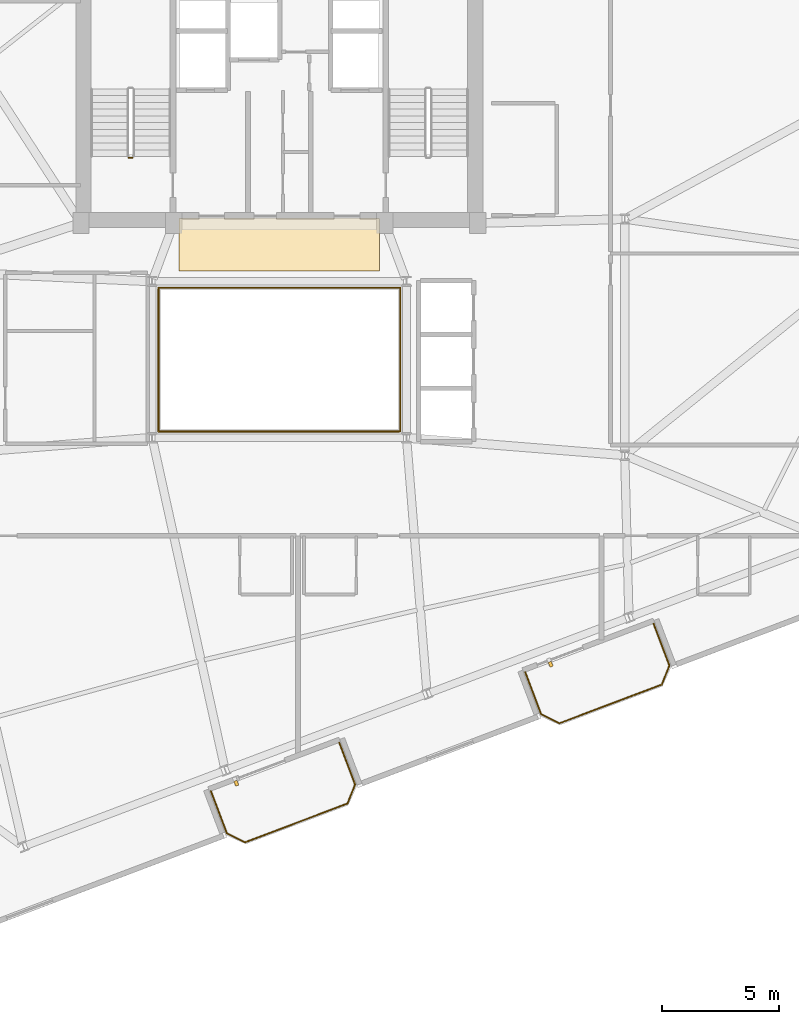
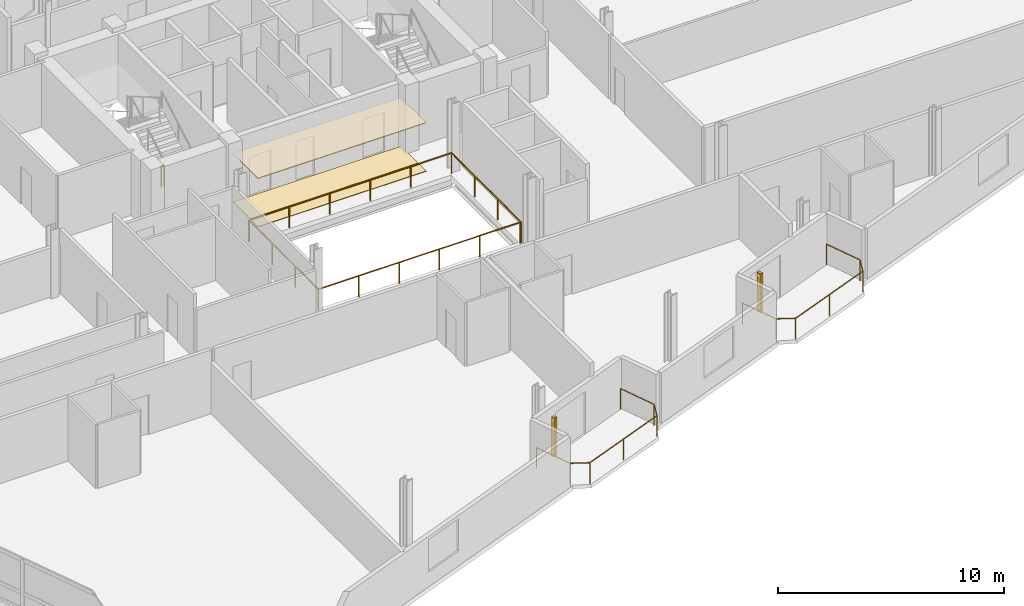
# One storey, part 18 of 19: 5 railings, 2 coverings, 2 shading devices.
"""IFC4 building model written with IfcOpenShell, lengths in metres."""

import ifcopenshell
import ifcopenshell.guid

model = None  # the IFC model being written
_history = None  # IfcOwnerHistory: only IFC2X3 demands one
_inside = {}  # id of a spatial element -> (the spatial element, [elements in it])
_under = {}  # id of a project, library or spatial element -> (it, [spatial elements below it])
_declared = {}  # id of a project -> (the project, [libraries it declares])
_typed = {}  # id of a type object -> (the type object, [elements of that type])
_made_of = {}  # id of a material, layer set ... -> (it, [elements and type objects made of it])


def new_model(schema):
    """Start an empty IFC model of exactly this schema.

    Asked for "IFC4X3", IfcOpenShell would pick the latest addendum, in which some entities
    have other attributes; the version numbers below select the first issue.
    IFC2X3 requires an IfcOwnerHistory on every rooted entity: one is made here for all.
    """
    global model, _history
    if schema == "IFC4X3":
        model = ifcopenshell.file(schema_version=(4, 3, 0, 0))
    else:
        model = ifcopenshell.file(schema=schema)
    _inside.clear()
    _under.clear()
    _declared.clear()
    _typed.clear()
    _made_of.clear()
    _history = None
    if model.schema == "IFC2X3":
        org = make("IfcOrganization", Name="unknown")
        user = make(
            "IfcPersonAndOrganization",
            ThePerson=make("IfcPerson", FamilyName="unknown"),
            TheOrganization=org,
        )
        app = make(
            "IfcApplication",
            ApplicationDeveloper=org,
            Version="unknown",
            ApplicationFullName="unknown",
            ApplicationIdentifier="unknown",
        )
        _history = make(
            "IfcOwnerHistory",
            OwningUser=user,
            OwningApplication=app,
            ChangeAction="ADDED",
            CreationDate=0,
        )
    return model


def make(cls, **values):
    """One entity of the class cls with the attributes given. An attribute that is None is left unset."""
    return model.create_entity(
        cls, **{name: value for name, value in values.items() if value is not None}
    )


def rooted(cls, **values):
    """An entity with a GlobalId (a new one), such as an element, a storey or a relation."""
    return make(cls, GlobalId=ifcopenshell.guid.new(), OwnerHistory=_history, **values)


def si_unit(unit_type, name, prefix=None):
    """IfcSIUnit, for example si_unit("LENGTHUNIT", "METRE", prefix="MILLI")."""
    return make("IfcSIUnit", UnitType=unit_type, Prefix=prefix, Name=name)


def assignment(units):
    """IfcUnitAssignment: the units of a project."""
    return None if units is None else make("IfcUnitAssignment", Units=units)


def point(xyz):
    """IfcCartesianPoint."""
    return None if xyz is None else make("IfcCartesianPoint", Coordinates=xyz)


def direction(xyz):
    """IfcDirection."""
    return None if xyz is None else make("IfcDirection", DirectionRatios=xyz)


def frame(location, z_axis=None, x_axis=None):
    """IfcAxis2Placement3D, a coordinate frame: its origin and axes. An axis left out is left unset."""
    return make(
        "IfcAxis2Placement3D",
        Location=point(location),
        Axis=direction(z_axis),
        RefDirection=direction(x_axis),
    )


def frame_2d(location, x_axis=None):
    """IfcAxis2Placement2D, a coordinate frame in the plane: its origin and x axis."""
    return make(
        "IfcAxis2Placement2D", Location=point(location), RefDirection=direction(x_axis)
    )


def origin():
    """The frame at (0, 0, 0) with its axes left unset."""
    return frame((0.0, 0.0, 0.0))


def origin_2d():
    """The frame at (0, 0) in the plane with its x axis left unset."""
    return frame_2d((0.0, 0.0))


def place(relative_to, where):
    """IfcLocalPlacement: puts the frame where relative to a parent placement (None: the world)."""
    return make(
        "IfcLocalPlacement", PlacementRelTo=relative_to, RelativePlacement=where
    )


def context(
    kind, dimensions, precision=None, world=None, true_north=None, identifier=None
):
    """IfcGeometricRepresentationContext, for example the 3D "Model" context."""
    return make(
        "IfcGeometricRepresentationContext",
        ContextIdentifier=identifier,
        ContextType=kind,
        CoordinateSpaceDimension=dimensions,
        Precision=precision,
        WorldCoordinateSystem=world,
        TrueNorth=true_north,
    )


def subcontext(parent, identifier, kind, view, scale=None):
    """IfcGeometricRepresentationSubContext, for example "Body" below "Model"."""
    return make(
        "IfcGeometricRepresentationSubContext",
        ContextIdentifier=identifier,
        ContextType=kind,
        ParentContext=parent,
        TargetScale=scale,
        TargetView=view,
    )


def project(units=None, contexts=None):
    """IfcProject with its units and contexts."""
    return rooted(
        "IfcProject",
        Name="project",
        RepresentationContexts=contexts,
        UnitsInContext=assignment(units),
    )


def spatial(cls, under=None, at=None, **own):
    """A site, building, storey or space (cls), placed at a placement, below another one or the project."""
    s = rooted(cls, ObjectPlacement=at, **own)
    if under is not None:
        _under.setdefault(under.id(), (under, []))[1].append(s)
    return s


def profile(cls, at=None, kind="AREA", **sizes):
    """A parametric profile (cls). Its sizes go by their IFC names, for example OverallWidth=200.0."""
    return make(cls, ProfileType=kind, Position=at, **sizes)


def rectangle(**sizes):
    """IfcRectangleProfileDef."""
    return profile("IfcRectangleProfileDef", **sizes)


def circle(**sizes):
    """IfcCircleProfileDef."""
    return profile("IfcCircleProfileDef", **sizes)


def extrude(swept, where, along, depth):
    """IfcExtrudedAreaSolid: the profile swept, set in the frame where, extruded along a direction by depth."""
    return make(
        "IfcExtrudedAreaSolid",
        SweptArea=swept,
        Position=where,
        ExtrudedDirection=direction(along),
        Depth=depth,
    )


def shape(context_of_items, identifier, shape_type, items):
    """IfcShapeRepresentation: the items that make up one representation, for example the "Body"."""
    return make(
        "IfcShapeRepresentation",
        ContextOfItems=context_of_items,
        RepresentationIdentifier=identifier,
        RepresentationType=shape_type,
        Items=items,
    )


def source(mapping_origin, context_of_items, identifier, shape_type, items):
    """IfcRepresentationMap: a shape defined once, which mapped items show again and again."""
    return make(
        "IfcRepresentationMap",
        MappingOrigin=mapping_origin,
        MappedRepresentation=shape(context_of_items, identifier, shape_type, items),
    )


def transform(
    local_origin,
    x_axis=None,
    y_axis=None,
    z_axis=None,
    scale=None,
    scale2=None,
    scale3=None,
    uniform=True,
):
    """IfcCartesianTransformationOperator3D, or its non-uniform kind. x_axis, y_axis, z_axis: its Axis1, 2, 3."""
    if uniform:
        return make(
            "IfcCartesianTransformationOperator3D",
            Axis1=direction(x_axis),
            Axis2=direction(y_axis),
            LocalOrigin=point(local_origin),
            Scale=scale,
            Axis3=direction(z_axis),
        )
    return make(
        "IfcCartesianTransformationOperator3DnonUniform",
        Axis1=direction(x_axis),
        Axis2=direction(y_axis),
        LocalOrigin=point(local_origin),
        Scale=scale,
        Axis3=direction(z_axis),
        Scale2=scale2,
        Scale3=scale3,
    )


def mapped(mapping_source, mapping_target):
    """IfcMappedItem: shows the shape of a source again, moved by a transform."""
    return make(
        "IfcMappedItem", MappingSource=mapping_source, MappingTarget=mapping_target
    )


def material(Name=None, Category=None):
    """IfcMaterial."""
    return make("IfcMaterial", Name=Name, Category=Category)


def layer(
    of_material, thickness, ventilated=None, Name=None, Category=None, Priority=None
):
    """IfcMaterialLayer: one layer of a wall or slab, of a material (None: an air gap)."""
    return make(
        "IfcMaterialLayer",
        Material=of_material,
        LayerThickness=thickness,
        IsVentilated=ventilated,
        Name=Name,
        Category=Category,
        Priority=Priority,
    )


def layer_set(layers, Name=None):
    """IfcMaterialLayerSet."""
    return make("IfcMaterialLayerSet", MaterialLayers=layers, LayerSetName=Name)


def made_of(thing, what):
    """Note that an element or type object is made of a material, layer set ...; save() writes the relation."""
    if what is not None:
        _made_of.setdefault(what.id(), (what, []))[1].append(thing)
    return thing


def type_object(cls, material=None, **own):
    """A type object (cls), such as IfcWallType, which elements share."""
    return made_of(rooted(cls, **own), material)


def element(
    cls,
    number,
    at=None,
    inside=None,
    cuts=None,
    type_object=None,
    material=None,
    context=None,
    identifier="Body",
    shape_type=None,
    held_by="IfcProductDefinitionShape",
    body=None,
    shapes=None,
    **own,
):
    """One element of the class cls, such as IfcWall. Its Tag is "e" and its number.

    at: its placement. inside: the storey or other place that contains it. cuts: it is an
    opening in that element (IfcRelVoidsElement). A single representation is given by context,
    identifier, shape_type and body (its items); several are given by shapes. held_by: the class
    of the entity that holds the representations. save() writes the other relations.
    """
    e = rooted(cls, Tag="e%d" % number, ObjectPlacement=at, **own)
    if body is not None:
        shapes = [shape(context, identifier, shape_type, body)]
    if shapes is not None:
        e.Representation = make(held_by, Representations=shapes)
    if inside is not None:
        _inside.setdefault(inside.id(), (inside, []))[1].append(e)
    if cuts is not None:
        rooted(
            "IfcRelVoidsElement", RelatingBuildingElement=cuts, RelatedOpeningElement=e
        )
    if type_object is not None:
        _typed.setdefault(type_object.id(), (type_object, []))[1].append(e)
    return made_of(e, material)


def aggregate(whole, parts):
    """IfcRelAggregates: a whole, such as a stair, and the parts it consists of."""
    return rooted("IfcRelAggregates", RelatingObject=whole, RelatedObjects=parts)


def save(model, path):
    """Write the relations noted so far, then the file.

    IfcRelAggregates (storeys below a building ...), IfcRelContainedInSpatialStructure (elements
    in a storey), IfcRelDefinesByType, IfcRelAssociatesMaterial and IfcRelDeclares: one each for
    every whole, place, type object, material and project.
    """
    for whole, parts in _under.values():
        aggregate(whole, parts)
    for where, things in _inside.values():
        rooted(
            "IfcRelContainedInSpatialStructure",
            RelatedElements=things,
            RelatingStructure=where,
        )
    for kind, things in _typed.values():
        rooted("IfcRelDefinesByType", RelatedObjects=things, RelatingType=kind)
    for what, things in _made_of.values():
        rooted("IfcRelAssociatesMaterial", RelatedObjects=things, RelatingMaterial=what)
    for by, libraries in _declared.values():
        rooted("IfcRelDeclares", RelatingContext=by, RelatedDefinitions=libraries)
    model.write(path)


model = new_model("IFC4")

# Units and contexts
model_context = context("Model", 3, precision=1e-05, world=origin(), true_north=direction((0.0, 1.0)))
body_context = subcontext(model_context, "Body", "Model", "MODEL_VIEW")
ifc_project = project(units=[si_unit("LENGTHUNIT", "METRE"), si_unit("AREAUNIT", "SQUARE_METRE"), si_unit("VOLUMEUNIT", "CUBIC_METRE"), si_unit("PLANEANGLEUNIT", "RADIAN"), si_unit("MASSUNIT", "GRAM", prefix="KILO")], contexts=[model_context])

# Site, building, storey
site_placement = place(None, origin())
site = spatial("IfcSite", under=ifc_project, at=site_placement, CompositionType="ELEMENT")
building_placement = place(site_placement, origin())
building = spatial("IfcBuilding", under=site, at=building_placement, Name="Varnelok Gate Tower", CompositionType="ELEMENT")
storey_placement = place(building_placement, frame((0.0, 0.0, 246.0)))
storey = spatial("IfcBuildingStorey", under=building, at=storey_placement, Name="L63", CompositionType="ELEMENT", Elevation=246.0)

# Railings
ifc_material_1 = material(Name="Tempered Laminated Balustrade Glass", Category="glass")
railing_type_1 = type_object("IfcRailingType", Name="RL-ATR-GUARD1150", PredefinedType="GUARDRAIL", material=ifc_material_1)
railing_1_placement = place(storey_placement, frame((34.02001953125, 25.929931640625, 0.0)))
element("IfcRailing", 1, at=railing_1_placement, inside=storey, type_object=railing_type_1, Name="L63 Internal Atrium South-West Guardrail", PredefinedType="GUARDRAIL", context=body_context, shape_type="SweptSolid", body=[
    extrude(circle(Radius=0.02392578125, at=origin_2d()), frame((0.0, 0.0, 1.1259765625), z_axis=(0.0, -1.0, 0.0), x_axis=(1.0, 0.0, 0.0)), (0.0, 0.0, 1.0), 6.10986328125),
    extrude(circle(Radius=0.02392578125, at=origin_2d()), frame((0.0, -6.10986328125, 1.1259765625), z_axis=(1.0, 0.0, 0.0), x_axis=(0.0, 1.0, 0.0)), (0.0, 0.0, 1.0), 10.31005859375),
    extrude(circle(Radius=0.02099609375, at=origin_2d()), origin(), (0.0, 0.0, 1.0), 1.101806640625),
    extrude(circle(Radius=0.02099609375, at=origin_2d()), frame((0.0, -2.03662109375, 0.0)), (0.0, 0.0, 1.0), 1.101806640625),
    extrude(circle(Radius=0.02099609375, at=origin_2d()), frame((0.0, -4.0732421875, 0.0)), (0.0, 0.0, 1.0), 1.101806640625),
    extrude(circle(Radius=0.02099609375, at=origin_2d()), frame((0.0, -6.10986328125, 0.0)), (0.0, 0.0, 1.0), 1.101806640625),
    extrude(circle(Radius=0.02099609375, at=origin_2d()), frame((2.06201171875, -6.10986328125, 0.0)), (0.0, 0.0, 1.0), 1.101806640625),
    extrude(circle(Radius=0.02099609375, at=origin_2d()), frame((4.1240234375, -6.10986328125, 0.0)), (0.0, 0.0, 1.0), 1.101806640625),
    extrude(circle(Radius=0.02099609375, at=origin_2d()), frame((6.18603515625, -6.10986328125, 0.0)), (0.0, 0.0, 1.0), 1.101806640625),
    extrude(circle(Radius=0.02099609375, at=origin_2d()), frame((8.248046875, -6.10986328125, 0.0)), (0.0, 0.0, 1.0), 1.101806640625),
    extrude(circle(Radius=0.02099609375, at=origin_2d()), frame((10.31005859375, -6.10986328125, 0.0)), (0.0, 0.0, 1.0), 1.101806640625),
])
railing_2_placement = place(storey_placement, frame((44.3798828125, 19.820068359375, 0.0)))
element("IfcRailing", 2, at=railing_2_placement, inside=storey, type_object=railing_type_1, Name="L63 Internal Atrium North-East Guardrail", PredefinedType="GUARDRAIL", context=body_context, shape_type="SweptSolid", body=[
    extrude(circle(Radius=0.02392578125, at=origin_2d()), frame((0.0, 0.0, 1.1259765625), z_axis=(0.0, 1.0, 0.0), x_axis=(-1.0, 0.0, 0.0)), (0.0, 0.0, 1.0), 6.159912109375),
    extrude(circle(Radius=0.02392578125, at=origin_2d()), frame((0.0, 6.159912109375, 1.1259765625), z_axis=(-1.0, 0.0, 0.0), x_axis=(0.0, -1.0, 0.0)), (0.0, 0.0, 1.0), 10.35986328125),
    extrude(circle(Radius=0.02099609375, at=origin_2d()), origin(), (0.0, 0.0, 1.0), 1.101806640625),
    extrude(circle(Radius=0.02099609375, at=origin_2d()), frame((0.0, 2.05322265625, 0.0)), (0.0, 0.0, 1.0), 1.101806640625),
    extrude(circle(Radius=0.02099609375, at=origin_2d()), frame((0.0, 4.106689453125, 0.0)), (0.0, 0.0, 1.0), 1.101806640625),
    extrude(circle(Radius=0.02099609375, at=origin_2d()), frame((0.0, 6.159912109375, 0.0)), (0.0, 0.0, 1.0), 1.101806640625),
    extrude(circle(Radius=0.02099609375, at=origin_2d()), frame((-2.072021484375, 6.159912109375, 0.0)), (0.0, 0.0, 1.0), 1.101806640625),
    extrude(circle(Radius=0.02099609375, at=origin_2d()), frame((-4.14404296875, 6.159912109375, 0.0)), (0.0, 0.0, 1.0), 1.101806640625),
    extrude(circle(Radius=0.02099609375, at=origin_2d()), frame((-6.2158203125, 6.159912109375, 0.0)), (0.0, 0.0, 1.0), 1.101806640625),
    extrude(circle(Radius=0.02099609375, at=origin_2d()), frame((-8.287841796875, 6.159912109375, 0.0)), (0.0, 0.0, 1.0), 1.101806640625),
    extrude(circle(Radius=0.02099609375, at=origin_2d()), frame((-10.35986328125, 6.159912109375, 0.0)), (0.0, 0.0, 1.0), 1.101806640625),
])
ifc_material_2 = material(Name="Low-E Laminated Double Glazing IGU", Category="glass")
railing_type_2 = type_object("IfcRailingType", Name="RL-BALC-1150", PredefinedType="BALUSTRADE", material=ifc_material_2)
railing_3_placement = place(storey_placement, frame((36.26708984375, 4.408203125, 0.0)))
element("IfcRailing", 3, at=railing_3_placement, inside=storey, type_object=railing_type_2, Name="L63 South Terrace Balustrade 1", PredefinedType="BALUSTRADE", context=body_context, shape_type="SweptSolid", body=[
    extrude(circle(Radius=0.02392578125, at=origin_2d()), frame((0.0, 0.0, 1.1259765625), z_axis=(0.354006333352, -0.935243025073, 0.0), x_axis=(0.935243025073, 0.354006333352, 0.0)), (0.0, 0.0, 1.0), 1.919921875),
    extrude(circle(Radius=0.02392578125, at=origin_2d()), frame((0.6796875, -1.795654296875, 1.1259765625), z_axis=(0.89078254773, -0.454429810487, 0.0), x_axis=(0.454429810487, 0.89078254773, 0.0)), (0.0, 0.0, 1.0), 0.8779296875),
    extrude(circle(Radius=0.02392578125, at=origin_2d()), frame((1.461669921875, -2.194580078125, 1.1259765625), z_axis=(0.935223045203, 0.354059113314, 0.0), x_axis=(-0.354059113314, 0.935223045203, 0.0)), (0.0, 0.0, 1.0), 4.699951171875),
    extrude(circle(Radius=0.02392578125, at=origin_2d()), frame((5.857177734375, -0.530517578125, 1.1259765625), z_axis=(0.366254584666, 0.930514685113, 0.0), x_axis=(-0.930514685113, 0.366254584666, 0.0)), (0.0, 0.0, 1.0), 0.8779296875),
    extrude(circle(Radius=0.02392578125, at=origin_2d()), frame((6.1787109375, 0.286376953125, 1.1259765625), z_axis=(-0.354048437536, 0.935227086797, 0.0), x_axis=(-0.935227086797, -0.354048437536, 0.0)), (0.0, 0.0, 1.0), 1.919677734375),
    extrude(circle(Radius=0.02099609375, at=origin_2d()), origin(), (0.0, 0.0, 1.0), 1.101806640625),
    extrude(circle(Radius=0.02099609375, at=origin_2d()), frame((0.6796875, -1.795654296875, 0.0)), (0.0, 0.0, 1.0), 1.101806640625),
    extrude(circle(Radius=0.02099609375, at=origin_2d()), frame((1.461669921875, -2.194580078125, 0.0)), (0.0, 0.0, 1.0), 1.101806640625),
    extrude(circle(Radius=0.02099609375, at=origin_2d()), frame((3.659423828125, -1.362548828125, 0.0)), (0.0, 0.0, 1.0), 1.101806640625),
    extrude(circle(Radius=0.02099609375, at=origin_2d()), frame((5.857177734375, -0.530517578125, 0.0)), (0.0, 0.0, 1.0), 1.101806640625),
    extrude(circle(Radius=0.02099609375, at=origin_2d()), frame((6.1787109375, 0.286376953125, 0.0)), (0.0, 0.0, 1.0), 1.101806640625),
    extrude(circle(Radius=0.02099609375, at=origin_2d()), frame((5.4990234375, 2.081787109375, 0.0)), (0.0, 0.0, 1.0), 1.101806640625),
])
railing_4_placement = place(storey_placement, frame((49.734130859375, 9.506591796875, 0.0)))
element("IfcRailing", 4, at=railing_4_placement, inside=storey, type_object=railing_type_2, Name="L63 South Terrace Balustrade 2", PredefinedType="BALUSTRADE", context=body_context, shape_type="SweptSolid", body=[
    extrude(circle(Radius=0.02392578125, at=origin_2d()), frame((0.0, 0.0, 1.1259765625), z_axis=(0.354159661475, -0.935184973245, 0.0), x_axis=(0.935184973245, 0.354159661475, 0.0)), (0.0, 0.0, 1.0), 1.919921875),
    extrude(circle(Radius=0.02392578125, at=origin_2d()), frame((0.679931640625, -1.79541015625, 1.1259765625), z_axis=(0.890612455555, -0.454763074589, 0.0), x_axis=(0.454763074589, 0.890612455555, 0.0)), (0.0, 0.0, 1.0), 0.877685546875),
    extrude(circle(Radius=0.02392578125, at=origin_2d()), frame((1.461669921875, -2.194580078125, 1.1259765625), z_axis=(0.935212356898, 0.354087344458, 0.0), x_axis=(-0.354087344458, 0.935212356898, 0.0)), (0.0, 0.0, 1.0), 4.7001953125),
    extrude(circle(Radius=0.02392578125, at=origin_2d()), frame((5.857421875, -0.5302734375, 1.1259765625), z_axis=(0.366349384437, 0.930477365938, 0.0), x_axis=(-0.930477365938, 0.366349384437, 0.0)), (0.0, 0.0, 1.0), 0.877685546875),
    extrude(circle(Radius=0.02392578125, at=origin_2d()), frame((6.178955078125, 0.286376953125, 1.1259765625), z_axis=(-0.354006333352, 0.935243025073, 0.0), x_axis=(-0.935243025073, -0.354006333352, 0.0)), (0.0, 0.0, 1.0), 1.919921875),
    extrude(circle(Radius=0.02099609375, at=origin_2d()), origin(), (0.0, 0.0, 1.0), 1.101806640625),
    extrude(circle(Radius=0.02099609375, at=origin_2d()), frame((0.679931640625, -1.79541015625, 0.0)), (0.0, 0.0, 1.0), 1.101806640625),
    extrude(circle(Radius=0.02099609375, at=origin_2d()), frame((1.461669921875, -2.194580078125, 0.0)), (0.0, 0.0, 1.0), 1.101806640625),
    extrude(circle(Radius=0.02099609375, at=origin_2d()), frame((3.65966796875, -1.3623046875, 0.0)), (0.0, 0.0, 1.0), 1.101806640625),
    extrude(circle(Radius=0.02099609375, at=origin_2d()), frame((5.857421875, -0.5302734375, 0.0)), (0.0, 0.0, 1.0), 1.101806640625),
    extrude(circle(Radius=0.02099609375, at=origin_2d()), frame((6.178955078125, 0.286376953125, 0.0)), (0.0, 0.0, 1.0), 1.101806640625),
    extrude(circle(Radius=0.02099609375, at=origin_2d()), frame((5.499267578125, 2.08203125, 0.0)), (0.0, 0.0, 1.0), 1.101806640625),
])
ifc_material_3 = material(Name="Galvanized Steel Grade S350GD", Category="steel")
railing_type_3 = type_object("IfcRailingType", Name="RL-STAIR-GUARD1120", PredefinedType="GUARDRAIL", material=ifc_material_3)
railing_5_placement = place(storey_placement, frame((32.89990234375, 31.550048828125, 0.0)))
element("IfcRailing", 5, at=railing_5_placement, inside=storey, type_object=railing_type_3, Name="L63 ST-1 stair guard 4", PredefinedType="GUARDRAIL", context=body_context, shape_type="SweptSolid", body=[
    extrude(circle(Radius=0.02392578125, at=origin_2d()), frame((0.0, 0.0, 1.09619140625), z_axis=(-1.0, 0.0, 0.0), x_axis=(0.0, -1.0, 0.0)), (0.0, 0.0, 1.0), 0.14990234375),
    extrude(circle(Radius=0.02099609375, at=origin_2d()), origin(), (0.0, 0.0, 1.0), 1.072021484375),
    extrude(circle(Radius=0.02099609375, at=origin_2d()), frame((-0.14990234375, 0.0, 0.0)), (0.0, 0.0, 1.0), 1.072021484375),
])

# Shading devices
ifc_material_4 = material(Name="Glazed Architectural Terracotta Ceramic", Category="masonry")
shading_device_type = type_object("IfcShadingDeviceType", Name="SHD-TERRA-FIN", PredefinedType="USERDEFINED", material=ifc_material_4)
shared_shape_1 = source(origin(), body_context, "Body", "SweptSolid", [
    extrude(rectangle(XDim=0.139892578125, YDim=0.219970703125, at=origin_2d()), origin(), (0.0, 0.0, 1.0), 2.10009765625),
])
for number, where, z_axis, x_axis, name in (
    (6, (37.35791015625, 4.746337890625, 0.099853515625), (0.0, 0.0, 1.0), (0.935221751401, 0.354062530786, 0.0), "L63 Terracotta Ceramic Baguette Sunscreen 1.1"),
    (7, (50.8251953125, 9.844970703125, 0.099853515625), (0.0, 0.0, 1.0), (0.935221751401, 0.354062530786, 0.0), "L63 Terracotta Ceramic Baguette Sunscreen 2.1"),
):
    element("IfcShadingDevice", number, at=place(storey_placement, frame(where, z_axis=z_axis, x_axis=x_axis)), inside=storey, type_object=shading_device_type, Name=name, ObjectType="BAGUETTE", PredefinedType="USERDEFINED", context=body_context, shape_type="MappedRepresentation", body=[
        mapped(shared_shape_1, transform((0.0, 0.0, 0.0), scale=1.0)),
    ])

# Coverings
ifc_material_5 = material(Name="Honed Travertine Stone Flooring", Category="masonry")
ifc_layer_1 = layer(ifc_material_5, 0.02490234375)
ifc_layer_set_1 = layer_set([ifc_layer_1], Name="Honed Travertine Stone Flooring")
covering_type_1 = type_object("IfcCoveringType", Name="COV-FLOR-STONE", PredefinedType="FLOORING", material=ifc_layer_set_1)
shared_shape_2 = source(origin(), body_context, "Body", "SweptSolid", [
    extrude(rectangle(XDim=8.60009765625, YDim=2.219970703125, at=origin_2d()), origin(), (0.0, 0.0, 1.0), 0.02490234375),
])
covering_1_placement = place(storey_placement, frame((39.199951171875, 27.800048828125, 0.0), z_axis=(0.0, 0.0, 1.0), x_axis=(1.0, 0.0, 0.0)))
element("IfcCovering", 8, at=covering_1_placement, inside=storey, type_object=covering_type_1, Name="L63 Core Gallery Stone Flooring", PredefinedType="FLOORING", context=body_context, shape_type="MappedRepresentation", body=[
    mapped(shared_shape_2, transform((0.0, 0.0, 0.0), scale=1.0)),
])
ifc_material_6 = material(Name="Mineral Fiber Acoustic Ceiling Tile")
ifc_layer_2 = layer(ifc_material_6, 0.0400390625)
ifc_layer_set_2 = layer_set([ifc_layer_2], Name="Mineral Fiber Acoustic Ceiling Tile")
covering_type_2 = type_object("IfcCoveringType", Name="COV-CEIL-ACOUST", PredefinedType="CEILING", material=ifc_layer_set_2)
shared_shape_3 = source(origin(), body_context, "Body", "SweptSolid", [
    extrude(rectangle(XDim=8.60009765625, YDim=2.239990234375, at=origin_2d()), origin(), (0.0, 0.0, 1.0), 0.0400390625),
])
covering_2_placement = place(storey_placement, frame((39.199951171875, 27.820068359375, 2.60009765625), z_axis=(0.0, 0.0, 1.0), x_axis=(1.0, 0.0, 0.0)))
element("IfcCovering", 9, at=covering_2_placement, inside=storey, type_object=covering_type_2, Name="L63 Core Gallery Acoustic Ceiling", PredefinedType="CEILING", context=body_context, shape_type="MappedRepresentation", body=[
    mapped(shared_shape_3, transform((0.0, 0.0, 0.0), scale=1.0)),
])

save(model, "model.ifc")
